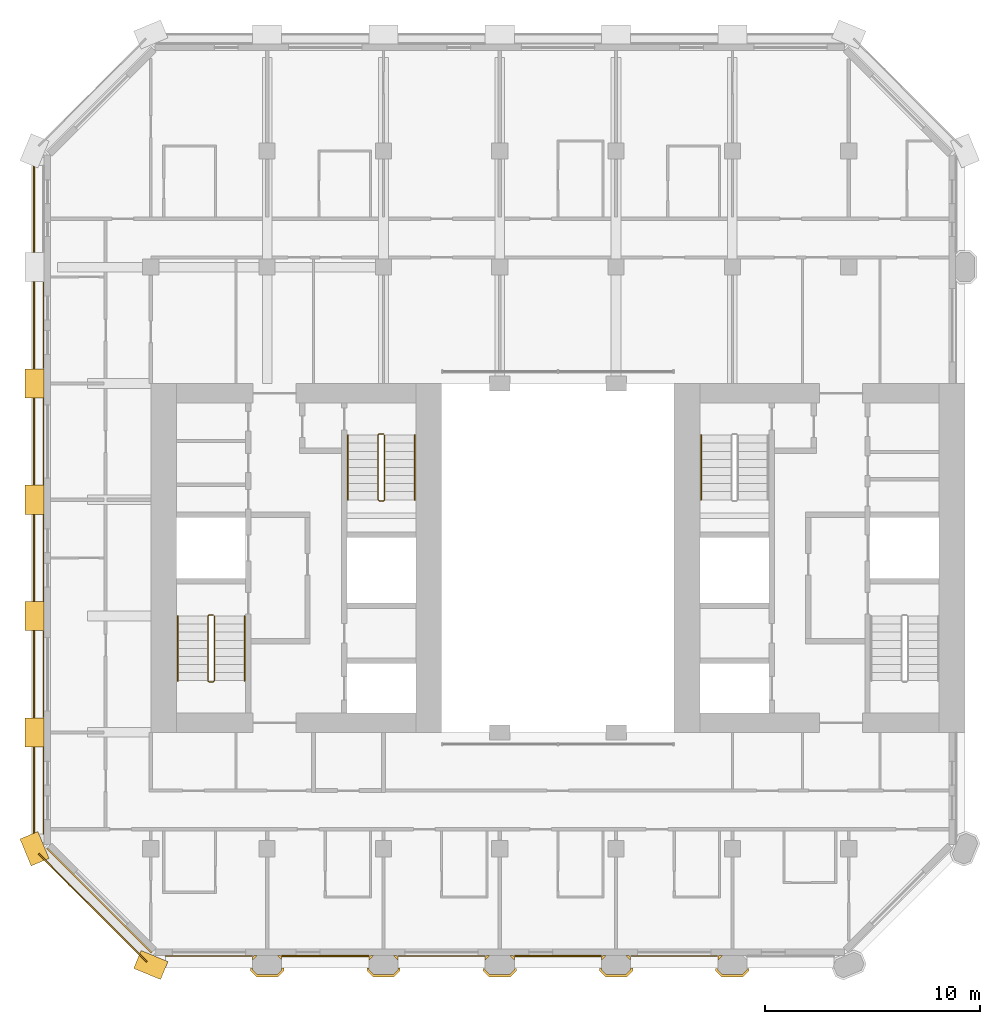
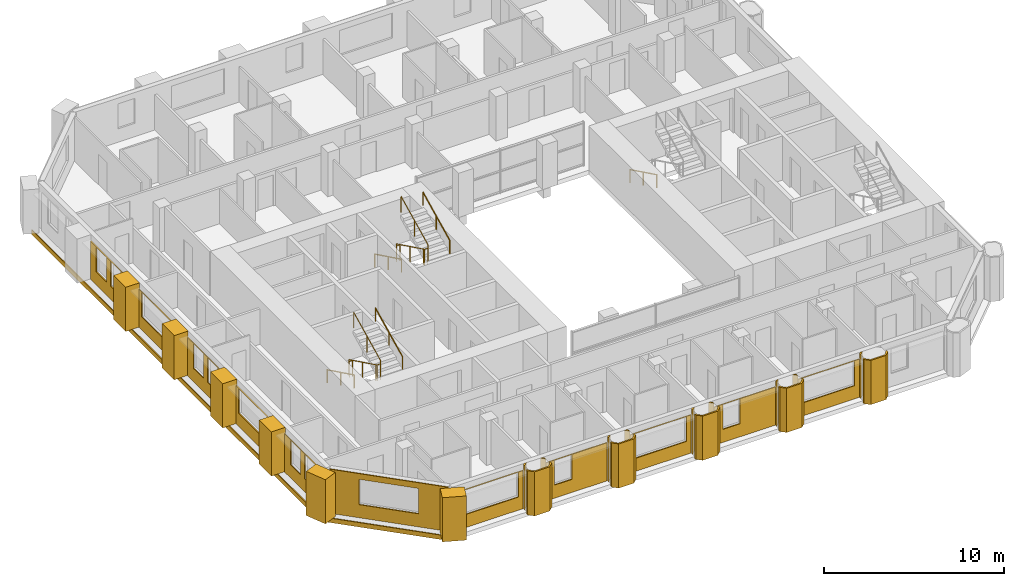
# One storey, part 12 of 14: 33 coverings, 7 railings.
"""IFC4 building model written with IfcOpenShell, lengths in metres."""

import ifcopenshell
import ifcopenshell.guid

model = None  # the IFC model being written
_history = None  # IfcOwnerHistory: only IFC2X3 demands one
_inside = {}  # id of a spatial element -> (the spatial element, [elements in it])
_under = {}  # id of a project, library or spatial element -> (it, [spatial elements below it])
_declared = {}  # id of a project -> (the project, [libraries it declares])
_typed = {}  # id of a type object -> (the type object, [elements of that type])
_made_of = {}  # id of a material, layer set ... -> (it, [elements and type objects made of it])


def new_model(schema):
    """Start an empty IFC model of exactly this schema.

    Asked for "IFC4X3", IfcOpenShell would pick the latest addendum, in which some entities
    have other attributes; the version numbers below select the first issue.
    IFC2X3 requires an IfcOwnerHistory on every rooted entity: one is made here for all.
    """
    global model, _history
    if schema == "IFC4X3":
        model = ifcopenshell.file(schema_version=(4, 3, 0, 0))
    else:
        model = ifcopenshell.file(schema=schema)
    _inside.clear()
    _under.clear()
    _declared.clear()
    _typed.clear()
    _made_of.clear()
    _history = None
    if model.schema == "IFC2X3":
        org = make("IfcOrganization", Name="unknown")
        user = make(
            "IfcPersonAndOrganization",
            ThePerson=make("IfcPerson", FamilyName="unknown"),
            TheOrganization=org,
        )
        app = make(
            "IfcApplication",
            ApplicationDeveloper=org,
            Version="unknown",
            ApplicationFullName="unknown",
            ApplicationIdentifier="unknown",
        )
        _history = make(
            "IfcOwnerHistory",
            OwningUser=user,
            OwningApplication=app,
            ChangeAction="ADDED",
            CreationDate=0,
        )
    return model


def make(cls, **values):
    """One entity of the class cls with the attributes given. An attribute that is None is left unset."""
    return model.create_entity(
        cls, **{name: value for name, value in values.items() if value is not None}
    )


def rooted(cls, **values):
    """An entity with a GlobalId (a new one), such as an element, a storey or a relation."""
    return make(cls, GlobalId=ifcopenshell.guid.new(), OwnerHistory=_history, **values)


def si_unit(unit_type, name, prefix=None):
    """IfcSIUnit, for example si_unit("LENGTHUNIT", "METRE", prefix="MILLI")."""
    return make("IfcSIUnit", UnitType=unit_type, Prefix=prefix, Name=name)


def assignment(units):
    """IfcUnitAssignment: the units of a project."""
    return None if units is None else make("IfcUnitAssignment", Units=units)


def point(xyz):
    """IfcCartesianPoint."""
    return None if xyz is None else make("IfcCartesianPoint", Coordinates=xyz)


def direction(xyz):
    """IfcDirection."""
    return None if xyz is None else make("IfcDirection", DirectionRatios=xyz)


def frame(location, z_axis=None, x_axis=None):
    """IfcAxis2Placement3D, a coordinate frame: its origin and axes. An axis left out is left unset."""
    return make(
        "IfcAxis2Placement3D",
        Location=point(location),
        Axis=direction(z_axis),
        RefDirection=direction(x_axis),
    )


def frame_2d(location, x_axis=None):
    """IfcAxis2Placement2D, a coordinate frame in the plane: its origin and x axis."""
    return make(
        "IfcAxis2Placement2D", Location=point(location), RefDirection=direction(x_axis)
    )


def origin():
    """The frame at (0, 0, 0) with its axes left unset."""
    return frame((0.0, 0.0, 0.0))


def origin_2d():
    """The frame at (0, 0) in the plane with its x axis left unset."""
    return frame_2d((0.0, 0.0))


def place(relative_to, where):
    """IfcLocalPlacement: puts the frame where relative to a parent placement (None: the world)."""
    return make(
        "IfcLocalPlacement", PlacementRelTo=relative_to, RelativePlacement=where
    )


def context(
    kind, dimensions, precision=None, world=None, true_north=None, identifier=None
):
    """IfcGeometricRepresentationContext, for example the 3D "Model" context."""
    return make(
        "IfcGeometricRepresentationContext",
        ContextIdentifier=identifier,
        ContextType=kind,
        CoordinateSpaceDimension=dimensions,
        Precision=precision,
        WorldCoordinateSystem=world,
        TrueNorth=true_north,
    )


def subcontext(parent, identifier, kind, view, scale=None):
    """IfcGeometricRepresentationSubContext, for example "Body" below "Model"."""
    return make(
        "IfcGeometricRepresentationSubContext",
        ContextIdentifier=identifier,
        ContextType=kind,
        ParentContext=parent,
        TargetScale=scale,
        TargetView=view,
    )


def project(units=None, contexts=None):
    """IfcProject with its units and contexts."""
    return rooted(
        "IfcProject",
        Name="project",
        RepresentationContexts=contexts,
        UnitsInContext=assignment(units),
    )


def spatial(cls, under=None, at=None, **own):
    """A site, building, storey or space (cls), placed at a placement, below another one or the project."""
    s = rooted(cls, ObjectPlacement=at, **own)
    if under is not None:
        _under.setdefault(under.id(), (under, []))[1].append(s)
    return s


def polyline(points):
    """IfcPolyline through the points."""
    return make("IfcPolyline", Points=[point(p) for p in points])


def profile(cls, at=None, kind="AREA", **sizes):
    """A parametric profile (cls). Its sizes go by their IFC names, for example OverallWidth=200.0."""
    return make(cls, ProfileType=kind, Position=at, **sizes)


def rectangle(**sizes):
    """IfcRectangleProfileDef."""
    return profile("IfcRectangleProfileDef", **sizes)


def circle(**sizes):
    """IfcCircleProfileDef."""
    return profile("IfcCircleProfileDef", **sizes)


def outline(outer, holes=None, kind="AREA"):
    """IfcArbitraryClosedProfileDef: a profile drawn as a closed curve; with holes, ...WithVoids."""
    if holes is None:
        return make("IfcArbitraryClosedProfileDef", ProfileType=kind, OuterCurve=outer)
    return make(
        "IfcArbitraryProfileDefWithVoids",
        ProfileType=kind,
        OuterCurve=outer,
        InnerCurves=holes,
    )


def extrude(swept, where, along, depth):
    """IfcExtrudedAreaSolid: the profile swept, set in the frame where, extruded along a direction by depth."""
    return make(
        "IfcExtrudedAreaSolid",
        SweptArea=swept,
        Position=where,
        ExtrudedDirection=direction(along),
        Depth=depth,
    )


def shape(context_of_items, identifier, shape_type, items):
    """IfcShapeRepresentation: the items that make up one representation, for example the "Body"."""
    return make(
        "IfcShapeRepresentation",
        ContextOfItems=context_of_items,
        RepresentationIdentifier=identifier,
        RepresentationType=shape_type,
        Items=items,
    )


def material(Name=None, Category=None):
    """IfcMaterial."""
    return make("IfcMaterial", Name=Name, Category=Category)


def layer(
    of_material, thickness, ventilated=None, Name=None, Category=None, Priority=None
):
    """IfcMaterialLayer: one layer of a wall or slab, of a material (None: an air gap)."""
    return make(
        "IfcMaterialLayer",
        Material=of_material,
        LayerThickness=thickness,
        IsVentilated=ventilated,
        Name=Name,
        Category=Category,
        Priority=Priority,
    )


def layer_set(layers, Name=None):
    """IfcMaterialLayerSet."""
    return make("IfcMaterialLayerSet", MaterialLayers=layers, LayerSetName=Name)


def made_of(thing, what):
    """Note that an element or type object is made of a material, layer set ...; save() writes the relation."""
    if what is not None:
        _made_of.setdefault(what.id(), (what, []))[1].append(thing)
    return thing


def type_object(cls, material=None, **own):
    """A type object (cls), such as IfcWallType, which elements share."""
    return made_of(rooted(cls, **own), material)


def element(
    cls,
    number,
    at=None,
    inside=None,
    cuts=None,
    type_object=None,
    material=None,
    context=None,
    identifier="Body",
    shape_type=None,
    held_by="IfcProductDefinitionShape",
    body=None,
    shapes=None,
    **own,
):
    """One element of the class cls, such as IfcWall. Its Tag is "e" and its number.

    at: its placement. inside: the storey or other place that contains it. cuts: it is an
    opening in that element (IfcRelVoidsElement). A single representation is given by context,
    identifier, shape_type and body (its items); several are given by shapes. held_by: the class
    of the entity that holds the representations. save() writes the other relations.
    """
    e = rooted(cls, Tag="e%d" % number, ObjectPlacement=at, **own)
    if body is not None:
        shapes = [shape(context, identifier, shape_type, body)]
    if shapes is not None:
        e.Representation = make(held_by, Representations=shapes)
    if inside is not None:
        _inside.setdefault(inside.id(), (inside, []))[1].append(e)
    if cuts is not None:
        rooted(
            "IfcRelVoidsElement", RelatingBuildingElement=cuts, RelatedOpeningElement=e
        )
    if type_object is not None:
        _typed.setdefault(type_object.id(), (type_object, []))[1].append(e)
    return made_of(e, material)


def aggregate(whole, parts):
    """IfcRelAggregates: a whole, such as a stair, and the parts it consists of."""
    return rooted("IfcRelAggregates", RelatingObject=whole, RelatedObjects=parts)


def save(model, path):
    """Write the relations noted so far, then the file.

    IfcRelAggregates (storeys below a building ...), IfcRelContainedInSpatialStructure (elements
    in a storey), IfcRelDefinesByType, IfcRelAssociatesMaterial and IfcRelDeclares: one each for
    every whole, place, type object, material and project.
    """
    for whole, parts in _under.values():
        aggregate(whole, parts)
    for where, things in _inside.values():
        rooted(
            "IfcRelContainedInSpatialStructure",
            RelatedElements=things,
            RelatingStructure=where,
        )
    for kind, things in _typed.values():
        rooted("IfcRelDefinesByType", RelatedObjects=things, RelatingType=kind)
    for what, things in _made_of.values():
        rooted("IfcRelAssociatesMaterial", RelatedObjects=things, RelatingMaterial=what)
    for by, libraries in _declared.values():
        rooted("IfcRelDeclares", RelatingContext=by, RelatedDefinitions=libraries)
    model.write(path)


model = new_model("IFC4")

# Units and contexts
model_context = context("Model", 3, precision=1e-05, world=origin(), true_north=direction((0.0, 1.0)))
body_context = subcontext(model_context, "Body", "Model", "MODEL_VIEW")
ifc_project = project(units=[si_unit("LENGTHUNIT", "METRE"), si_unit("AREAUNIT", "SQUARE_METRE"), si_unit("VOLUMEUNIT", "CUBIC_METRE"), si_unit("PLANEANGLEUNIT", "RADIAN"), si_unit("MASSUNIT", "GRAM", prefix="KILO")], contexts=[model_context])

# Site, building, storey
site_placement = place(None, origin())
site = spatial("IfcSite", under=ifc_project, at=site_placement, CompositionType="ELEMENT")
building_placement = place(site_placement, origin())
building = spatial("IfcBuilding", under=site, at=building_placement, Name="Tabaq Tower and Sports Hall", CompositionType="ELEMENT")
storey_placement = place(building_placement, frame((0.0, 0.0, 213.699951171875)))
storey = spatial("IfcBuildingStorey", under=building, at=storey_placement, Name="L53", CompositionType="ELEMENT", Elevation=213.699951171875)

# Coverings
ifc_material_1 = material(Name="Precast concrete C60/75", Category="concrete")
ifc_layer_1 = layer(ifc_material_1, 0.10009765625)
ifc_layer_set_1 = layer_set([ifc_layer_1], Name="Column cladding 100")
covering_type_1 = type_object("IfcCoveringType", Name="Column cladding 100", PredefinedType="CLADDING", material=ifc_layer_set_1)
covering_1_placement = place(storey_placement, origin())
element("IfcCovering", 1, at=covering_1_placement, inside=storey, type_object=covering_type_1, Name="Column cladding L53 PC-3B-H3", PredefinedType="CLADDING", context=body_context, shape_type="SweptSolid", body=[
    extrude(outline(polyline([(10.025390625, 5.249755859375), (10.124755859375, 5.249755859375), (10.124755859375, 5.1748046875), (10.349853515625, 4.94970703125), (11.250244140625, 4.94970703125), (11.475341796875, 5.1748046875), (11.475341796875, 5.249755859375), (11.57470703125, 5.249755859375), (11.57470703125, 5.1337890625), (11.291259765625, 4.850341796875), (10.30859375, 4.850341796875), (10.025390625, 5.1337890625), (10.025390625, 5.249755859375)])), origin(), (0.0, 0.0, 1.0), 3.0),
])
covering_2_placement = place(storey_placement, origin())
element("IfcCovering", 2, at=covering_2_placement, inside=storey, type_object=covering_type_1, Name="Column cladding L53 PC-3B-H3 2", PredefinedType="CLADDING", context=body_context, shape_type="SweptSolid", body=[
    extrude(outline(polyline([(10.208740234375, 5.849609375), (10.349365234375, 5.849609375), (10.125244140625, 5.625732421875), (10.125244140625, 5.766357421875), (10.208740234375, 5.849609375)])), origin(), (0.0, 0.0, 1.0), 3.0),
])
covering_3_placement = place(storey_placement, origin())
element("IfcCovering", 3, at=covering_3_placement, inside=storey, type_object=covering_type_1, Name="Column cladding L53 PC-3B-H3 3", PredefinedType="CLADDING", context=body_context, shape_type="SweptSolid", body=[
    extrude(outline(polyline([(11.474609375, 5.766357421875), (11.474609375, 5.625732421875), (11.250732421875, 5.849609375), (11.391357421875, 5.849609375), (11.474609375, 5.766357421875)])), origin(), (0.0, 0.0, 1.0), 3.0),
])
covering_4_placement = place(storey_placement, origin())
element("IfcCovering", 4, at=covering_4_placement, inside=storey, type_object=covering_type_1, Name="Column cladding L53 PC-4B-H3", PredefinedType="CLADDING", context=body_context, shape_type="SweptSolid", body=[
    extrude(outline(polyline([(15.42529296875, 5.249755859375), (15.524658203125, 5.249755859375), (15.524658203125, 5.1748046875), (15.749755859375, 4.94970703125), (16.650146484375, 4.94970703125), (16.875244140625, 5.1748046875), (16.875244140625, 5.249755859375), (16.974609375, 5.249755859375), (16.974609375, 5.1337890625), (16.69140625, 4.850341796875), (15.708740234375, 4.850341796875), (15.42529296875, 5.1337890625), (15.42529296875, 5.249755859375)])), origin(), (0.0, 0.0, 1.0), 3.0),
])
covering_5_placement = place(storey_placement, origin())
element("IfcCovering", 5, at=covering_5_placement, inside=storey, type_object=covering_type_1, Name="Column cladding L53 PC-4B-H3 2", PredefinedType="CLADDING", context=body_context, shape_type="SweptSolid", body=[
    extrude(outline(polyline([(16.874755859375, 5.766357421875), (16.874755859375, 5.625732421875), (16.650634765625, 5.849609375), (16.791259765625, 5.849609375), (16.874755859375, 5.766357421875)])), origin(), (0.0, 0.0, 1.0), 3.0),
])
covering_6_placement = place(storey_placement, origin())
element("IfcCovering", 6, at=covering_6_placement, inside=storey, type_object=covering_type_1, Name="Column cladding L53 PC-4B-H3 3", PredefinedType="CLADDING", context=body_context, shape_type="SweptSolid", body=[
    extrude(outline(polyline([(15.608642578125, 5.849609375), (15.749267578125, 5.849609375), (15.525390625, 5.625732421875), (15.525390625, 5.766357421875), (15.608642578125, 5.849609375)])), origin(), (0.0, 0.0, 1.0), 3.0),
])
covering_7_placement = place(storey_placement, origin())
element("IfcCovering", 7, at=covering_7_placement, inside=storey, type_object=covering_type_1, Name="Column cladding L53 PC-5B-H3", PredefinedType="CLADDING", context=body_context, shape_type="SweptSolid", body=[
    extrude(outline(polyline([(20.82568359375, 5.24951171875), (20.92431640625, 5.24951171875), (20.92431640625, 5.1748046875), (21.149658203125, 4.949462890625), (22.05029296875, 4.949462890625), (22.275634765625, 5.1748046875), (22.275634765625, 5.24951171875), (22.37451171875, 5.24951171875), (22.37451171875, 5.1337890625), (22.091064453125, 4.8505859375), (21.10888671875, 4.8505859375), (20.82568359375, 5.1337890625), (20.82568359375, 5.24951171875)])), origin(), (0.0, 0.0, 1.0), 3.0),
])
covering_8_placement = place(storey_placement, origin())
element("IfcCovering", 8, at=covering_8_placement, inside=storey, type_object=covering_type_1, Name="Column cladding L53 PC-5B-H3 2", PredefinedType="CLADDING", context=body_context, shape_type="SweptSolid", body=[
    extrude(outline(polyline([(22.274658203125, 5.766357421875), (22.274658203125, 5.625732421875), (22.05078125, 5.849609375), (22.19140625, 5.849609375), (22.274658203125, 5.766357421875)])), origin(), (0.0, 0.0, 1.0), 3.0),
])
covering_9_placement = place(storey_placement, origin())
element("IfcCovering", 9, at=covering_9_placement, inside=storey, type_object=covering_type_1, Name="Column cladding L53 PC-5B-H3 3", PredefinedType="CLADDING", context=body_context, shape_type="SweptSolid", body=[
    extrude(outline(polyline([(20.925537109375, 5.62646484375), (20.925537109375, 5.76611328125), (21.0087890625, 5.849365234375), (21.1484375, 5.849365234375), (20.925537109375, 5.62646484375)])), origin(), (0.0, 0.0, 1.0), 3.0),
])
covering_10_placement = place(storey_placement, origin())
element("IfcCovering", 10, at=covering_10_placement, inside=storey, type_object=covering_type_1, Name="Column cladding L53 PC-6B-H3", PredefinedType="CLADDING", context=body_context, shape_type="SweptSolid", body=[
    extrude(outline(polyline([(26.225341796875, 5.249755859375), (26.32470703125, 5.249755859375), (26.32470703125, 5.1748046875), (26.5498046875, 4.94970703125), (27.4501953125, 4.94970703125), (27.67529296875, 5.1748046875), (27.67529296875, 5.249755859375), (27.774658203125, 5.249755859375), (27.774658203125, 5.1337890625), (27.4912109375, 4.850341796875), (26.5087890625, 4.850341796875), (26.225341796875, 5.1337890625), (26.225341796875, 5.249755859375)])), origin(), (0.0, 0.0, 1.0), 3.0),
])
covering_11_placement = place(storey_placement, origin())
element("IfcCovering", 11, at=covering_11_placement, inside=storey, type_object=covering_type_1, Name="Column cladding L53 PC-6B-H3 2", PredefinedType="CLADDING", context=body_context, shape_type="SweptSolid", body=[
    extrude(outline(polyline([(26.40869140625, 5.849609375), (26.54931640625, 5.849609375), (26.3251953125, 5.625732421875), (26.3251953125, 5.766357421875), (26.40869140625, 5.849609375)])), origin(), (0.0, 0.0, 1.0), 3.0),
])
covering_12_placement = place(storey_placement, origin())
element("IfcCovering", 12, at=covering_12_placement, inside=storey, type_object=covering_type_1, Name="Column cladding L53 PC-6B-H3 3", PredefinedType="CLADDING", context=body_context, shape_type="SweptSolid", body=[
    extrude(outline(polyline([(27.6748046875, 5.766357421875), (27.6748046875, 5.625732421875), (27.45068359375, 5.849609375), (27.59130859375, 5.849609375), (27.6748046875, 5.766357421875)])), origin(), (0.0, 0.0, 1.0), 3.0),
])
covering_13_placement = place(storey_placement, origin())
element("IfcCovering", 13, at=covering_13_placement, inside=storey, type_object=covering_type_1, Name="Column cladding L53 PC-7B-H3", PredefinedType="CLADDING", context=body_context, shape_type="SweptSolid", body=[
    extrude(outline(polyline([(31.62548828125, 5.24951171875), (31.724365234375, 5.24951171875), (31.724365234375, 5.1748046875), (31.94970703125, 4.949462890625), (32.850341796875, 4.949462890625), (33.07568359375, 5.1748046875), (33.07568359375, 5.24951171875), (33.17431640625, 5.24951171875), (33.17431640625, 5.1337890625), (32.89111328125, 4.8505859375), (31.908935546875, 4.8505859375), (31.62548828125, 5.1337890625), (31.62548828125, 5.24951171875)])), origin(), (0.0, 0.0, 1.0), 3.0),
])
covering_14_placement = place(storey_placement, origin())
element("IfcCovering", 14, at=covering_14_placement, inside=storey, type_object=covering_type_1, Name="Column cladding L53 PC-7B-H3 2", PredefinedType="CLADDING", context=body_context, shape_type="SweptSolid", body=[
    extrude(outline(polyline([(31.80859375, 5.849609375), (31.94921875, 5.849609375), (31.725341796875, 5.625732421875), (31.725341796875, 5.766357421875), (31.80859375, 5.849609375)])), origin(), (0.0, 0.0, 1.0), 3.0),
])
ifc_material_2 = material(Name="Precast concrete C60/75", Category="concrete")
ifc_layer_2 = layer(ifc_material_2, 0.06005859375)
ifc_layer_set_2 = layer_set([ifc_layer_2], Name="Edge beam cladding 60")
covering_type_2 = type_object("IfcCoveringType", Name="Edge beam cladding 60", PredefinedType="CLADDING", material=ifc_layer_set_2)
covering_15_placement = place(storey_placement, frame((-0.030029296875, 42.9013671875, -0.300048828125), z_axis=(0.0, 0.0, 1.0), x_axis=(0.0, -1.0, 0.0)))
element("IfcCovering", 15, at=covering_15_placement, inside=storey, type_object=covering_type_2, Name="Edge beam cladding L53 4", PredefinedType="CLADDING", context=body_context, shape_type="SweptSolid", body=[
    extrude(rectangle(XDim=31.802734375, YDim=0.06005859375, at=frame_2d((15.9013671875, 0.0))), origin(), (0.0, 0.0, 1.0), 0.300048828125),
])
covering_16_placement = place(storey_placement, frame((0.18994140625, 10.567626953125, -0.300048828125), z_axis=(0.0, 0.0, 1.0), x_axis=(0.707106781187, -0.707106781187, 0.0)))
element("IfcCovering", 16, at=covering_16_placement, inside=storey, type_object=covering_type_2, Name="Edge beam cladding L53 5", PredefinedType="CLADDING", context=body_context, shape_type="SweptSolid", body=[
    extrude(rectangle(XDim=7.087890625, YDim=0.06005859375, at=frame_2d((3.5439453125, 0.0))), origin(), (0.0, 0.0, 1.0), 0.300048828125),
])
ifc_material_3 = material(Name="White precast concrete C60/75", Category="concrete")
covering_type_3 = type_object("IfcCoveringType", Name="Pier cladding hung 1350x900", PredefinedType="CLADDING", material=ifc_material_3)
for number, where, z_axis, x_axis, name in (
    (17, (-0.25830078125, 11.423583984375, 0.0), (0.0, 0.0, 1.0), (0.382649923473, -0.923893411637, 0.0), "Hung pier cladding 0/2"),
    (18, (0.0, 16.875, 0.0), (0.0, 0.0, 1.0), (0.0, -1.0, 0.0), "Hung pier cladding 0/3"),
):
    element("IfcCovering", number, at=place(storey_placement, frame(where, z_axis=z_axis, x_axis=x_axis)), inside=storey, type_object=covering_type_3, Name=name, PredefinedType="CLADDING", context=body_context, shape_type="SweptSolid", body=[
        extrude(rectangle(XDim=1.35009765625, YDim=0.89990234375, at=frame_2d((0.675048828125, 0.0))), origin(), (0.0, 0.0, 1.0), 3.0),
    ])
covering_17_placement = place(storey_placement, frame((0.0, 22.27490234375, 0.0), z_axis=(0.0, 0.0, 1.0), x_axis=(0.0, -1.0, 0.0)))
element("IfcCovering", 19, at=covering_17_placement, inside=storey, type_object=covering_type_3, Name="Hung pier cladding 0/4", PredefinedType="CLADDING", context=body_context, shape_type="SweptSolid", body=[
    extrude(rectangle(XDim=1.349853515625, YDim=0.89990234375, at=frame_2d((0.6748046875, 0.0))), origin(), (0.0, 0.0, 1.0), 3.0),
])
covering_18_placement = place(storey_placement, frame((0.0, 27.675048828125, 0.0), z_axis=(0.0, 0.0, 1.0), x_axis=(0.0, -1.0, 0.0)))
element("IfcCovering", 20, at=covering_18_placement, inside=storey, type_object=covering_type_3, Name="Hung pier cladding 0/5", PredefinedType="CLADDING", context=body_context, shape_type="SweptSolid", body=[
    extrude(rectangle(XDim=1.35009765625, YDim=0.89990234375, at=frame_2d((0.675048828125, 0.0))), origin(), (0.0, 0.0, 1.0), 3.0),
])
covering_19_placement = place(storey_placement, frame((0.0, 33.074951171875, 0.0), z_axis=(0.0, 0.0, 1.0), x_axis=(0.0, -1.0, 0.0)))
element("IfcCovering", 21, at=covering_19_placement, inside=storey, type_object=covering_type_3, Name="Hung pier cladding 0/6", PredefinedType="CLADDING", context=body_context, shape_type="SweptSolid", body=[
    extrude(rectangle(XDim=1.349853515625, YDim=0.89990234375, at=frame_2d((0.6748046875, 0.0))), origin(), (0.0, 0.0, 1.0), 3.0),
])
covering_20_placement = place(storey_placement, frame((4.7763671875, 5.658203125, 0.0), z_axis=(0.0, 0.0, 1.0), x_axis=(0.923893411637, -0.382649923473, 0.0)))
element("IfcCovering", 22, at=covering_20_placement, inside=storey, type_object=covering_type_3, Name="Hung pier cladding 1/1", PredefinedType="CLADDING", context=body_context, shape_type="SweptSolid", body=[
    extrude(rectangle(XDim=1.35009765625, YDim=0.89990234375, at=frame_2d((0.675048828125, 0.0))), origin(), (0.0, 0.0, 1.0), 3.0),
])

# Railings
ifc_material_4 = material(Name="Stainless steel", Category="steel")
railing_type_1 = type_object("IfcRailingType", Name="Stair guard", PredefinedType="GUARDRAIL", material=ifc_material_4)
railing_1_placement = place(storey_placement, frame((8.300048828125, 21.64990234375, 0.0)))
element("IfcRailing", 23, at=railing_1_placement, inside=storey, type_object=railing_type_1, Name="L53 ST1 stair guard 1", PredefinedType="GUARDRAIL", context=body_context, shape_type="SweptSolid", body=[
    extrude(circle(Radius=0.02392578125, at=origin_2d()), frame((0.0, 0.0, 1.076171875), z_axis=(-1.0, 0.0, 0.0), x_axis=(0.0, -1.0, 0.0)), (0.0, 0.0, 1.0), 0.199951171875),
    extrude(circle(Radius=0.02392578125, at=origin_2d()), frame((-0.199951171875, 0.0, 1.076171875), z_axis=(-0.254733673405, -0.25349107012, 0.933195066962), x_axis=(0.705375805398, -0.708833529934, 0.0)), (0.0, 0.0, 1.0), 0.196533203125),
    extrude(circle(Radius=0.02392578125, at=origin_2d()), frame((-0.25, -0.0498046875, 1.25927734375), z_axis=(0.0, -0.898368975038, 0.439241601728), x_axis=(1.0, 0.0, 0.0)), (0.0, 0.0, 1.0), 3.33935546875),
    extrude(circle(Radius=0.02392578125, at=origin_2d()), frame((-0.25, -3.0498046875, 2.72607421875), z_axis=(0.707106781187, -0.707106781187, 0.0), x_axis=(0.707106781187, 0.707106781187, 0.0)), (0.0, 0.0, 1.0), 0.07080078125),
    extrude(circle(Radius=0.02392578125, at=origin_2d()), frame((-0.199951171875, -3.099853515625, 2.72607421875), z_axis=(1.0, 0.0, 0.0), x_axis=(0.0, 1.0, 0.0)), (0.0, 0.0, 1.0), 0.199951171875),
    extrude(circle(Radius=0.02392578125, at=origin_2d()), frame((0.0, -3.099853515625, 2.72607421875), z_axis=(0.254653276557, 0.254653276557, 0.932900539971), x_axis=(-0.707106781187, 0.707106781187, 0.0)), (0.0, 0.0, 1.0), 0.196533203125),
    extrude(circle(Radius=0.02392578125, at=origin_2d()), frame((0.050048828125, -3.0498046875, 2.90966796875), z_axis=(0.0, 0.898397823093, 0.439182594671), x_axis=(-1.0, 0.0, 0.0)), (0.0, 0.0, 1.0), 3.33935546875),
    extrude(circle(Radius=0.02099609375, at=origin_2d()), origin(), (0.0, 0.0, 1.0), 1.052001953125),
    extrude(circle(Radius=0.02099609375, at=origin_2d()), frame((-0.199951171875, 0.0, 0.0)), (0.0, 0.0, 1.0), 1.052001953125),
    extrude(circle(Radius=0.02099609375, at=origin_2d()), frame((-0.25, -0.0498046875, 0.183349609375)), (0.0, 0.0, 1.0), 1.052001953125),
    extrude(circle(Radius=0.02099609375, at=origin_2d()), frame((-0.25, -1.5498046875, 0.916748046875)), (0.0, 0.0, 1.0), 1.052001953125),
    extrude(circle(Radius=0.02099609375, at=origin_2d()), frame((-0.25, -3.0498046875, 1.650146484375)), (0.0, 0.0, 1.0), 1.052001953125),
    extrude(circle(Radius=0.02099609375, at=origin_2d()), frame((-0.199951171875, -3.099853515625, 1.650146484375)), (0.0, 0.0, 1.0), 1.052001953125),
    extrude(circle(Radius=0.02099609375, at=origin_2d()), frame((0.0, -3.099853515625, 1.650146484375)), (0.0, 0.0, 1.0), 1.052001953125),
    extrude(circle(Radius=0.02099609375, at=origin_2d()), frame((0.050048828125, -3.0498046875, 1.83349609375)), (0.0, 0.0, 1.0), 1.052001953125),
    extrude(circle(Radius=0.02099609375, at=origin_2d()), frame((0.050048828125, -1.5498046875, 2.56689453125)), (0.0, 0.0, 1.0), 1.052001953125),
    extrude(circle(Radius=0.02099609375, at=origin_2d()), frame((0.050048828125, -0.0498046875, 3.300048828125)), (0.0, 0.0, 1.0), 1.052001953125),
])
railing_2_placement = place(storey_placement, frame((16.199951171875, 30.050048828125, 0.0)))
element("IfcRailing", 24, at=railing_2_placement, inside=storey, type_object=railing_type_1, Name="L53 ST2 stair guard 1", PredefinedType="GUARDRAIL", context=body_context, shape_type="SweptSolid", body=[
    extrude(circle(Radius=0.02392578125, at=origin_2d()), frame((0.0, 0.0, 1.076171875), z_axis=(-1.0, 0.0, 0.0), x_axis=(0.0, -1.0, 0.0)), (0.0, 0.0, 1.0), 0.199951171875),
    extrude(circle(Radius=0.02392578125, at=origin_2d()), frame((-0.199951171875, 0.0, 1.076171875), z_axis=(-0.254653276557, -0.254653276557, 0.932900539971), x_axis=(0.707106781187, -0.707106781187, 0.0)), (0.0, 0.0, 1.0), 0.196533203125),
    extrude(circle(Radius=0.02392578125, at=origin_2d()), frame((-0.25, -0.050048828125, 1.25927734375), z_axis=(0.0, -0.898368975038, 0.439241601728), x_axis=(1.0, 0.0, 0.0)), (0.0, 0.0, 1.0), 3.33935546875),
    extrude(circle(Radius=0.02392578125, at=origin_2d()), frame((-0.25, -3.050048828125, 2.72607421875), z_axis=(0.707106781187, -0.707106781187, 0.0), x_axis=(0.707106781187, 0.707106781187, 0.0)), (0.0, 0.0, 1.0), 0.07080078125),
    extrude(circle(Radius=0.02392578125, at=origin_2d()), frame((-0.199951171875, -3.10009765625, 2.72607421875), z_axis=(1.0, 0.0, 0.0), x_axis=(0.0, 1.0, 0.0)), (0.0, 0.0, 1.0), 0.199951171875),
    extrude(circle(Radius=0.02392578125, at=origin_2d()), frame((0.0, -3.10009765625, 2.72607421875), z_axis=(0.254653276557, 0.254653276557, 0.932900539971), x_axis=(-0.707106781187, 0.707106781187, 0.0)), (0.0, 0.0, 1.0), 0.196533203125),
    extrude(circle(Radius=0.02392578125, at=origin_2d()), frame((0.050048828125, -3.050048828125, 2.90966796875), z_axis=(0.0, 0.898397823093, 0.439182594671), x_axis=(-1.0, 0.0, 0.0)), (0.0, 0.0, 1.0), 3.33935546875),
    extrude(circle(Radius=0.02099609375, at=origin_2d()), origin(), (0.0, 0.0, 1.0), 1.052001953125),
    extrude(circle(Radius=0.02099609375, at=origin_2d()), frame((-0.199951171875, 0.0, 0.0)), (0.0, 0.0, 1.0), 1.052001953125),
    extrude(circle(Radius=0.02099609375, at=origin_2d()), frame((-0.25, -0.050048828125, 0.183349609375)), (0.0, 0.0, 1.0), 1.052001953125),
    extrude(circle(Radius=0.02099609375, at=origin_2d()), frame((-0.25, -1.550048828125, 0.916748046875)), (0.0, 0.0, 1.0), 1.052001953125),
    extrude(circle(Radius=0.02099609375, at=origin_2d()), frame((-0.25, -3.050048828125, 1.650146484375)), (0.0, 0.0, 1.0), 1.052001953125),
    extrude(circle(Radius=0.02099609375, at=origin_2d()), frame((-0.199951171875, -3.10009765625, 1.650146484375)), (0.0, 0.0, 1.0), 1.052001953125),
    extrude(circle(Radius=0.02099609375, at=origin_2d()), frame((0.0, -3.10009765625, 1.650146484375)), (0.0, 0.0, 1.0), 1.052001953125),
    extrude(circle(Radius=0.02099609375, at=origin_2d()), frame((0.050048828125, -3.050048828125, 1.83349609375)), (0.0, 0.0, 1.0), 1.052001953125),
    extrude(circle(Radius=0.02099609375, at=origin_2d()), frame((0.050048828125, -1.550048828125, 2.56689453125)), (0.0, 0.0, 1.0), 1.052001953125),
    extrude(circle(Radius=0.02099609375, at=origin_2d()), frame((0.050048828125, -0.050048828125, 3.300048828125)), (0.0, 0.0, 1.0), 1.052001953125),
])
ifc_material_5 = material(Name="Stainless steel", Category="steel")
railing_type_2 = type_object("IfcRailingType", Name="Stair handrail", PredefinedType="HANDRAIL", material=ifc_material_5)
railing_3_placement = place(storey_placement, frame((6.64990234375, 21.60009765625, 0.183349609375)))
element("IfcRailing", 25, at=railing_3_placement, inside=storey, type_object=railing_type_2, Name="L53 ST1 stair handrail 1", PredefinedType="HANDRAIL", context=body_context, shape_type="SweptSolid", body=[
    extrude(circle(Radius=0.02392578125, at=origin_2d()), frame((0.0, 0.0, 0.8759765625), z_axis=(0.0, -0.898368975038, 0.439241601728), x_axis=(1.0, 0.0, 0.0)), (0.0, 0.0, 1.0), 3.33935546875),
    extrude(circle(Radius=0.02099609375, at=origin_2d()), origin(), (0.0, 0.0, 1.0), 0.851806640625),
    extrude(circle(Radius=0.02099609375, at=origin_2d()), frame((0.0, -1.5, 0.7333984375)), (0.0, 0.0, 1.0), 0.851806640625),
    extrude(circle(Radius=0.02099609375, at=origin_2d()), frame((0.0, -3.0, 1.466796875)), (0.0, 0.0, 1.0), 0.851806640625),
])
railing_4_placement = place(storey_placement, frame((9.75, 18.60009765625, 1.83349609375)))
element("IfcRailing", 26, at=railing_4_placement, inside=storey, type_object=railing_type_2, Name="L53 ST1 stair handrail 2", PredefinedType="HANDRAIL", context=body_context, shape_type="SweptSolid", body=[
    extrude(circle(Radius=0.02392578125, at=origin_2d()), frame((0.0, 0.0, 0.8759765625), z_axis=(0.0, 0.898397823093, 0.439182594671), x_axis=(-1.0, 0.0, 0.0)), (0.0, 0.0, 1.0), 3.33935546875),
    extrude(circle(Radius=0.02099609375, at=origin_2d()), origin(), (0.0, 0.0, 1.0), 0.851806640625),
    extrude(circle(Radius=0.02099609375, at=origin_2d()), frame((0.0, 1.5, 0.7333984375)), (0.0, 0.0, 1.0), 0.851806640625),
    extrude(circle(Radius=0.02099609375, at=origin_2d()), frame((0.0, 3.0, 1.466552734375)), (0.0, 0.0, 1.0), 0.851806640625),
])
railing_5_placement = place(storey_placement, frame((14.550048828125, 30.0, 0.183349609375)))
element("IfcRailing", 27, at=railing_5_placement, inside=storey, type_object=railing_type_2, Name="L53 ST2 stair handrail 1", PredefinedType="HANDRAIL", context=body_context, shape_type="SweptSolid", body=[
    extrude(circle(Radius=0.02392578125, at=origin_2d()), frame((0.0, 0.0, 0.8759765625), z_axis=(0.0, -0.898368975038, 0.439241601728), x_axis=(1.0, 0.0, 0.0)), (0.0, 0.0, 1.0), 3.33935546875),
    extrude(circle(Radius=0.02099609375, at=origin_2d()), origin(), (0.0, 0.0, 1.0), 0.851806640625),
    extrude(circle(Radius=0.02099609375, at=origin_2d()), frame((0.0, -1.5, 0.7333984375)), (0.0, 0.0, 1.0), 0.851806640625),
    extrude(circle(Radius=0.02099609375, at=origin_2d()), frame((0.0, -3.0, 1.466796875)), (0.0, 0.0, 1.0), 0.851806640625),
])
railing_6_placement = place(storey_placement, frame((17.64990234375, 27.0, 1.83349609375)))
element("IfcRailing", 28, at=railing_6_placement, inside=storey, type_object=railing_type_2, Name="L53 ST2 stair handrail 2", PredefinedType="HANDRAIL", context=body_context, shape_type="SweptSolid", body=[
    extrude(circle(Radius=0.02392578125, at=origin_2d()), frame((0.0, 0.0, 0.8759765625), z_axis=(0.0, 0.898397823093, 0.439182594671), x_axis=(-1.0, 0.0, 0.0)), (0.0, 0.0, 1.0), 3.33935546875),
    extrude(circle(Radius=0.02099609375, at=origin_2d()), origin(), (0.0, 0.0, 1.0), 0.851806640625),
    extrude(circle(Radius=0.02099609375, at=origin_2d()), frame((0.0, 1.5, 0.7333984375)), (0.0, 0.0, 1.0), 0.851806640625),
    extrude(circle(Radius=0.02099609375, at=origin_2d()), frame((0.0, 3.0, 1.466552734375)), (0.0, 0.0, 1.0), 0.851806640625),
])
railing_7_placement = place(storey_placement, frame((30.949951171875, 30.0, 0.183349609375)))
element("IfcRailing", 29, at=railing_7_placement, inside=storey, type_object=railing_type_2, Name="L53 ST4 stair handrail 1", PredefinedType="HANDRAIL", context=body_context, shape_type="SweptSolid", body=[
    extrude(circle(Radius=0.02392578125, at=origin_2d()), frame((0.0, 0.0, 0.8759765625), z_axis=(0.0, -0.898368975038, 0.439241601728), x_axis=(1.0, 0.0, 0.0)), (0.0, 0.0, 1.0), 3.33935546875),
    extrude(circle(Radius=0.02099609375, at=origin_2d()), origin(), (0.0, 0.0, 1.0), 0.851806640625),
    extrude(circle(Radius=0.02099609375, at=origin_2d()), frame((0.0, -1.5, 0.7333984375)), (0.0, 0.0, 1.0), 0.851806640625),
    extrude(circle(Radius=0.02099609375, at=origin_2d()), frame((0.0, -3.0, 1.466796875)), (0.0, 0.0, 1.0), 0.851806640625),
])

# Coverings
ifc_material_6 = material(Name="Precast concrete C60/75", Category="concrete")
ifc_layer_3 = layer(ifc_material_6, 0.06005859375)
ifc_layer_set_3 = layer_set([ifc_layer_3], Name="White precast cladding panel 60 C60/75")
covering_type_4 = type_object("IfcCoveringType", Name="White precast cladding panel 60 C60/75", PredefinedType="CLADDING", material=ifc_layer_set_3)
covering_21_placement = place(storey_placement, frame((6.06494140625, 5.820068359375, 0.0), z_axis=(0.0, 0.0, 1.0), x_axis=(1.0, 0.0, 0.0)))
element("IfcCovering", 30, at=covering_21_placement, inside=storey, type_object=covering_type_4, Name="White precast cladding panel L53 wall00", PredefinedType="CLADDING", context=body_context, shape_type="SweptSolid", body=[
    extrude(outline(polyline([(0.0, 0.0), (4.050048828125, 0.0), (4.050048828125, 2.590087890625), (0.0, 2.590087890625), (0.0, 0.0)]), holes=[polyline([(3.7451171875, 0.89013671875), (0.324951171875, 0.89013671875), (0.324951171875, 2.56005859375), (3.7451171875, 2.56005859375), (3.7451171875, 0.89013671875)])]), frame((0.0, 0.030029296875, 0.0), z_axis=(0.0, -1.0, 0.0), x_axis=(1.0, 0.0, 0.0)), (0.0, 0.0, 1.0), 0.06005859375),
])
covering_22_placement = place(storey_placement, frame((11.485107421875, 5.820068359375, 0.0), z_axis=(0.0, 0.0, 1.0), x_axis=(1.0, 0.0, 0.0)))
element("IfcCovering", 31, at=covering_22_placement, inside=storey, type_object=covering_type_4, Name="White precast cladding panel L53 wall00 2", PredefinedType="CLADDING", context=body_context, shape_type="SweptSolid", body=[
    extrude(outline(polyline([(0.0, 0.0), (4.02978515625, 0.0), (4.02978515625, 2.590087890625), (0.0, 2.590087890625), (0.0, 0.0)]), holes=[polyline([(1.77490234375, 0.89013671875), (0.655029296875, 0.89013671875), (0.655029296875, 2.56005859375), (1.77490234375, 2.56005859375), (1.77490234375, 0.89013671875)])]), frame((0.0, 0.030029296875, 0.0), z_axis=(0.0, -1.0, 0.0), x_axis=(1.0, 0.0, 0.0)), (0.0, 0.0, 1.0), 0.06005859375),
])
covering_23_placement = place(storey_placement, frame((16.885009765625, 5.820068359375, 0.0), z_axis=(0.0, 0.0, 1.0), x_axis=(1.0, 0.0, 0.0)))
element("IfcCovering", 32, at=covering_23_placement, inside=storey, type_object=covering_type_4, Name="White precast cladding panel L53 wall00 3", PredefinedType="CLADDING", context=body_context, shape_type="SweptSolid", body=[
    extrude(outline(polyline([(0.0, 0.0), (4.030029296875, 0.0), (4.030029296875, 2.590087890625), (0.0, 2.590087890625), (0.0, 0.0)]), holes=[polyline([(3.72509765625, 0.89013671875), (0.304931640625, 0.89013671875), (0.304931640625, 2.56005859375), (3.72509765625, 2.56005859375), (3.72509765625, 0.89013671875)])]), frame((0.0, 0.030029296875, 0.0), z_axis=(0.0, -1.0, 0.0), x_axis=(1.0, 0.0, 0.0)), (0.0, 0.0, 1.0), 0.06005859375),
])
covering_24_placement = place(storey_placement, frame((22.284912109375, 5.820068359375, 0.0), z_axis=(0.0, 0.0, 1.0), x_axis=(1.0, 0.0, 0.0)))
element("IfcCovering", 33, at=covering_24_placement, inside=storey, type_object=covering_type_4, Name="White precast cladding panel L53 wall00 4", PredefinedType="CLADDING", context=body_context, shape_type="SweptSolid", body=[
    extrude(outline(polyline([(0.0, 0.0), (4.030029296875, 0.0), (4.030029296875, 2.590087890625), (0.0, 2.590087890625), (0.0, 0.0)]), holes=[polyline([(1.77490234375, 0.89013671875), (0.655029296875, 0.89013671875), (0.655029296875, 2.56005859375), (1.77490234375, 2.56005859375), (1.77490234375, 0.89013671875)])]), frame((0.0, 0.030029296875, 0.0), z_axis=(0.0, -1.0, 0.0), x_axis=(1.0, 0.0, 0.0)), (0.0, 0.0, 1.0), 0.06005859375),
])
covering_25_placement = place(storey_placement, frame((27.68505859375, 5.820068359375, 0.0), z_axis=(0.0, 0.0, 1.0), x_axis=(1.0, 0.0, 0.0)))
element("IfcCovering", 34, at=covering_25_placement, inside=storey, type_object=covering_type_4, Name="White precast cladding panel L53 wall00 5", PredefinedType="CLADDING", context=body_context, shape_type="SweptSolid", body=[
    extrude(outline(polyline([(0.0, 0.0), (4.030029296875, 0.0), (4.030029296875, 2.590087890625), (0.0, 2.590087890625), (0.0, 0.0)]), holes=[polyline([(3.72509765625, 0.89013671875), (0.304931640625, 0.89013671875), (0.304931640625, 2.56005859375), (3.72509765625, 2.56005859375), (3.72509765625, 0.89013671875)])]), frame((0.0, 0.030029296875, 0.0), z_axis=(0.0, -1.0, 0.0), x_axis=(1.0, 0.0, 0.0)), (0.0, 0.0, 1.0), 0.06005859375),
])
covering_26_placement = place(storey_placement, frame((0.419921875, 37.114990234375, 0.0), z_axis=(0.0, 0.0, 1.0), x_axis=(0.0, -1.0, 0.0)))
element("IfcCovering", 35, at=covering_26_placement, inside=storey, type_object=covering_type_4, Name="White precast cladding panel L53 wall06 2", PredefinedType="CLADDING", context=body_context, shape_type="SweptSolid", body=[
    extrude(outline(polyline([(0.0, 0.0), (4.030029296875, 0.0), (4.030029296875, 2.590087890625), (0.0, 2.590087890625), (0.0, 0.0)]), holes=[polyline([(0.655029296875, 0.89013671875), (0.655029296875, 2.56005859375), (1.77490234375, 2.56005859375), (1.77490234375, 0.89013671875), (0.655029296875, 0.89013671875)]), polyline([(2.2548828125, 0.89013671875), (2.2548828125, 2.56005859375), (3.375, 2.56005859375), (3.375, 0.89013671875), (2.2548828125, 0.89013671875)])]), frame((0.0, 0.030029296875, 0.0), z_axis=(0.0, -1.0, 0.0), x_axis=(1.0, 0.0, 0.0)), (0.0, 0.0, 1.0), 0.06005859375),
])
covering_27_placement = place(storey_placement, frame((0.419921875, 31.715087890625, 0.0), z_axis=(0.0, 0.0, 1.0), x_axis=(0.0, -1.0, 0.0)))
element("IfcCovering", 36, at=covering_27_placement, inside=storey, type_object=covering_type_4, Name="White precast cladding panel L53 wall06 3", PredefinedType="CLADDING", context=body_context, shape_type="SweptSolid", body=[
    extrude(outline(polyline([(0.0, 0.0), (4.030029296875, 0.0), (4.030029296875, 2.590087890625), (0.0, 2.590087890625), (0.0, 0.0)]), holes=[polyline([(3.72509765625, 0.89013671875), (0.304931640625, 0.89013671875), (0.304931640625, 2.56005859375), (3.72509765625, 2.56005859375), (3.72509765625, 0.89013671875)])]), frame((0.0, 0.030029296875, 0.0), z_axis=(0.0, -1.0, 0.0), x_axis=(1.0, 0.0, 0.0)), (0.0, 0.0, 1.0), 0.06005859375),
])
covering_28_placement = place(storey_placement, frame((0.419921875, 26.31494140625, 0.0), z_axis=(0.0, 0.0, 1.0), x_axis=(0.0, -1.0, 0.0)))
element("IfcCovering", 37, at=covering_28_placement, inside=storey, type_object=covering_type_4, Name="White precast cladding panel L53 wall06 4", PredefinedType="CLADDING", context=body_context, shape_type="SweptSolid", body=[
    extrude(outline(polyline([(0.0, 0.0), (4.030029296875, 0.0), (4.030029296875, 2.590087890625), (0.0, 2.590087890625), (0.0, 0.0)]), holes=[polyline([(0.655029296875, 0.89013671875), (0.655029296875, 2.56005859375), (1.77490234375, 2.56005859375), (1.77490234375, 0.89013671875), (0.655029296875, 0.89013671875)]), polyline([(2.2548828125, 0.89013671875), (2.2548828125, 2.56005859375), (3.375, 2.56005859375), (3.375, 0.89013671875), (2.2548828125, 0.89013671875)])]), frame((0.0, 0.030029296875, 0.0), z_axis=(0.0, -1.0, 0.0), x_axis=(1.0, 0.0, 0.0)), (0.0, 0.0, 1.0), 0.06005859375),
])
covering_29_placement = place(storey_placement, frame((0.419921875, 20.9150390625, 0.0), z_axis=(0.0, 0.0, 1.0), x_axis=(0.0, -1.0, 0.0)))
element("IfcCovering", 38, at=covering_29_placement, inside=storey, type_object=covering_type_4, Name="White precast cladding panel L53 wall06 5", PredefinedType="CLADDING", context=body_context, shape_type="SweptSolid", body=[
    extrude(outline(polyline([(0.0, 0.0), (4.030029296875, 0.0), (4.030029296875, 2.590087890625), (0.0, 2.590087890625), (0.0, 0.0)]), holes=[polyline([(3.72509765625, 0.89013671875), (0.304931640625, 0.89013671875), (0.304931640625, 2.56005859375), (3.72509765625, 2.56005859375), (3.72509765625, 0.89013671875)])]), frame((0.0, 0.030029296875, 0.0), z_axis=(0.0, -1.0, 0.0), x_axis=(1.0, 0.0, 0.0)), (0.0, 0.0, 1.0), 0.06005859375),
])
covering_30_placement = place(storey_placement, frame((0.419921875, 15.514892578125, 0.0), z_axis=(0.0, 0.0, 1.0), x_axis=(0.0, -1.0, 0.0)))
element("IfcCovering", 39, at=covering_30_placement, inside=storey, type_object=covering_type_4, Name="White precast cladding panel L53 wall06 6", PredefinedType="CLADDING", context=body_context, shape_type="SweptSolid", body=[
    extrude(outline(polyline([(0.0, 0.0), (4.0498046875, 0.0), (4.0498046875, 2.590087890625), (0.0, 2.590087890625), (0.0, 0.0)]), holes=[polyline([(0.655029296875, 0.89013671875), (0.655029296875, 2.56005859375), (1.77490234375, 2.56005859375), (1.77490234375, 0.89013671875), (0.655029296875, 0.89013671875)]), polyline([(2.2548828125, 0.89013671875), (2.2548828125, 2.56005859375), (3.375, 2.56005859375), (3.375, 0.89013671875), (2.2548828125, 0.89013671875)])]), frame((0.0, 0.030029296875, 0.0), z_axis=(0.0, -1.0, 0.0), x_axis=(1.0, 0.0, 0.0)), (0.0, 0.0, 1.0), 0.06005859375),
])
covering_31_placement = place(storey_placement, frame((0.57177734375, 10.822265625, 0.0), z_axis=(0.0, 0.0, 1.0), x_axis=(0.707106781187, -0.707106781187, 0.0)))
element("IfcCovering", 40, at=covering_31_placement, inside=storey, type_object=covering_type_4, Name="White precast cladding panel L53 wall07", PredefinedType="CLADDING", context=body_context, shape_type="SweptSolid", body=[
    extrude(outline(polyline([(0.0, 0.0), (6.85986328125, 0.0), (6.85986328125, 3.0), (0.0, 3.0), (0.0, 0.0)]), holes=[polyline([(1.7197265625, 0.89013671875), (1.7197265625, 2.610107421875), (5.139892578125, 2.610107421875), (5.139892578125, 0.89013671875), (1.7197265625, 0.89013671875)])]), frame((0.0, 0.030029296875, 0.0), z_axis=(0.0, -1.0, 0.0), x_axis=(1.0, 0.0, 0.0)), (0.0, 0.0, 1.0), 0.06005859375),
])

save(model, "model.ifc")
